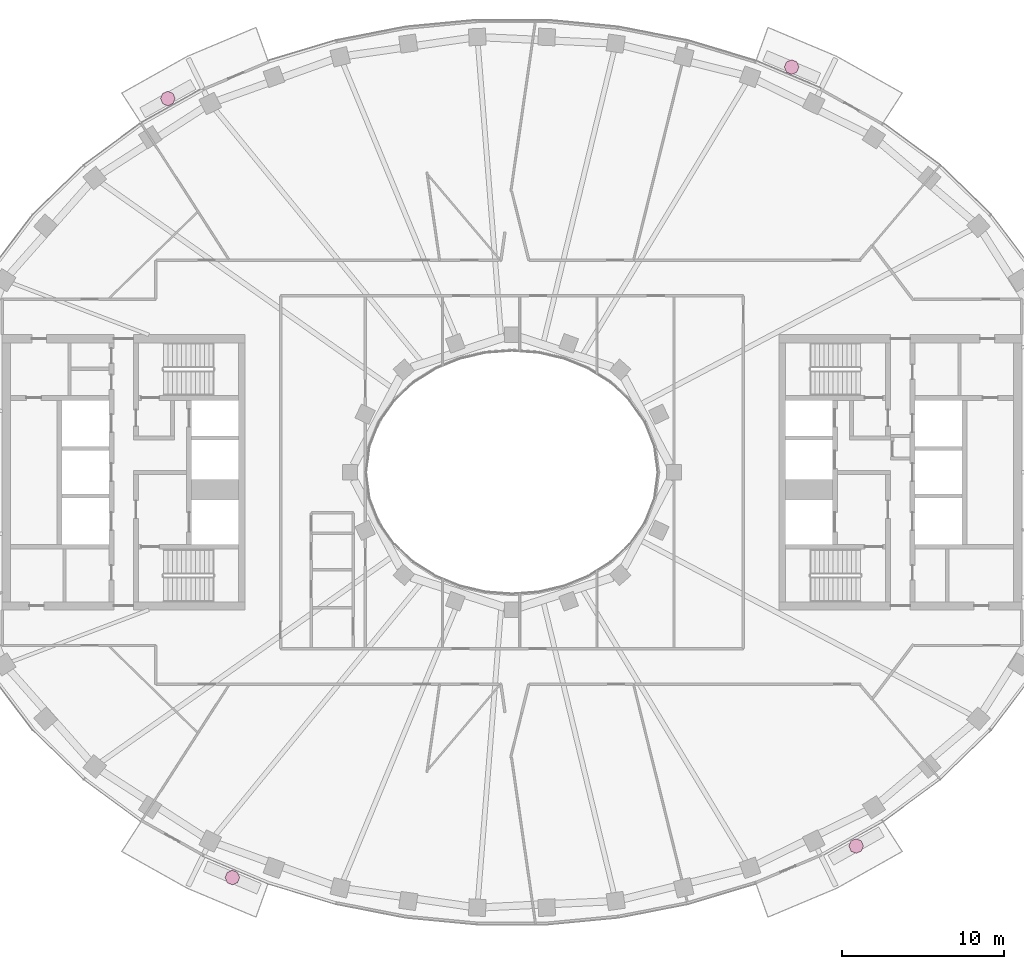
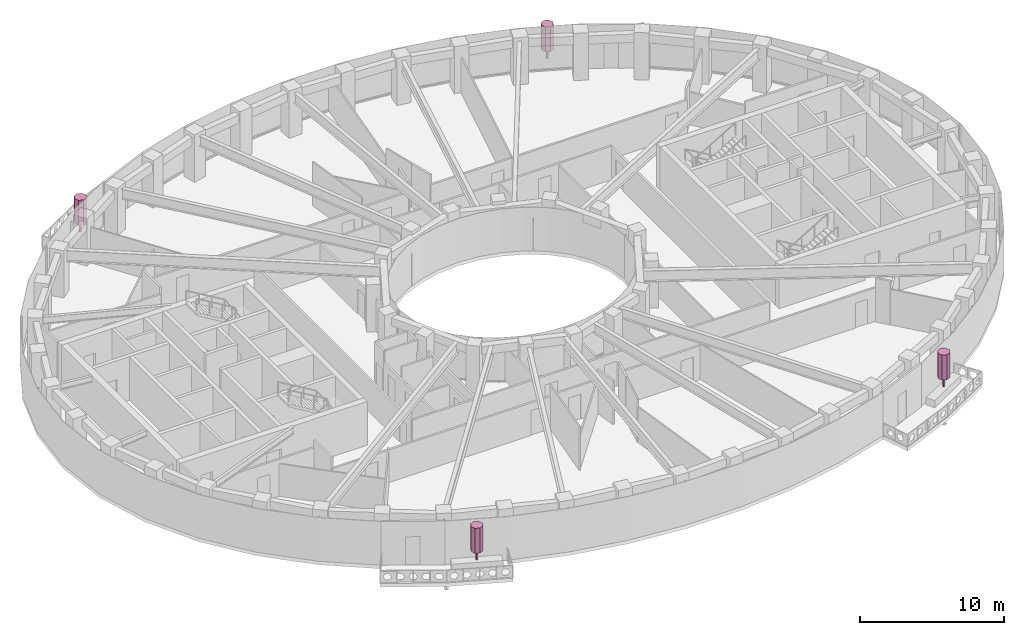
# One storey, part 15 of 15: 4 furnishings.
"""IFC4 building model written with IfcOpenShell, lengths in metres."""

from ifc_helpers import new_model, si_unit, direction, frame, origin, origin_2d, place, context, subcontext, project, spatial, polyline, rectangle, outline, extrude, material, type_object, element, save


model = new_model("IFC4")

# Units and contexts
model_context = context("Model", 3, precision=1e-05, world=origin(), true_north=direction((0.0, 1.0)))
body_context = subcontext(model_context, "Body", "Model", "MODEL_VIEW")
ifc_project = project(units=[si_unit("LENGTHUNIT", "METRE"), si_unit("AREAUNIT", "SQUARE_METRE"), si_unit("VOLUMEUNIT", "CUBIC_METRE"), si_unit("PLANEANGLEUNIT", "RADIAN"), si_unit("MASSUNIT", "GRAM", prefix="KILO")], contexts=[model_context])

# Site, building, storey
site_placement = place(None, origin())
site = spatial("IfcSite", under=ifc_project, at=site_placement, CompositionType="ELEMENT")
building_placement = place(site_placement, origin())
building = spatial("IfcBuilding", under=site, at=building_placement, Name="Noorbagh Ring Tower", CompositionType="ELEMENT")
storey_placement = place(building_placement, frame((0.0, 0.0, 265.5)))
storey = spatial("IfcBuildingStorey", under=building, at=storey_placement, Name="L56", CompositionType="ELEMENT", Elevation=265.5)

# Furnishings
ifc_material = material(Name="Planting foliage green")
furnishing_element_type = type_object("IfcFurnishingElementType", Name="ENV-TREE", material=ifc_material)
for number, where, z_axis, x_axis, name in (
    (1, (17.280517578125, 25.041259765625, 0.60009765625), (0.0, 0.0, 1.0), (1.0, 0.0, 0.0), "Tree BN02"),
    (2, (-21.26513671875, 23.093017578125, 0.60009765625), (0.0, 0.0, 1.0), (1.0, 0.0, 0.0), "Tree BN05"),
    (3, (-17.280517578125, -25.041259765625, 0.60009765625), (0.0, 0.0, 1.0), (1.0, 0.0, 0.0), "Tree BS02"),
    (4, (21.26513671875, -23.093017578125, 0.60009765625), (0.0, 0.0, 1.0), (1.0, 0.0, 0.0), "Tree BS05"),
):
    element("IfcFurnishingElement", number, at=place(storey_placement, frame(where, z_axis=z_axis, x_axis=x_axis)), inside=storey, type_object=furnishing_element_type, Name=name, context=body_context, shape_type="SweptSolid", body=[
        extrude(rectangle(XDim=0.1201171875, YDim=0.1201171875, at=origin_2d()), origin(), (0.0, 0.0, 1.0), 0.825927734375),
        extrude(outline(polyline([(0.449951171875, 0.0), (0.318115234375, 0.318115234375), (0.0, 0.449951171875), (-0.318115234375, 0.318115234375), (-0.449951171875, 0.0), (-0.318115234375, -0.318115234375), (0.0, -0.449951171875), (0.318115234375, -0.318115234375), (0.449951171875, 0.0)])), frame((0.0, 0.0, 0.825927734375)), (0.0, 0.0, 1.0), 2.1240234375),
    ])

save(model, "model.ifc")
